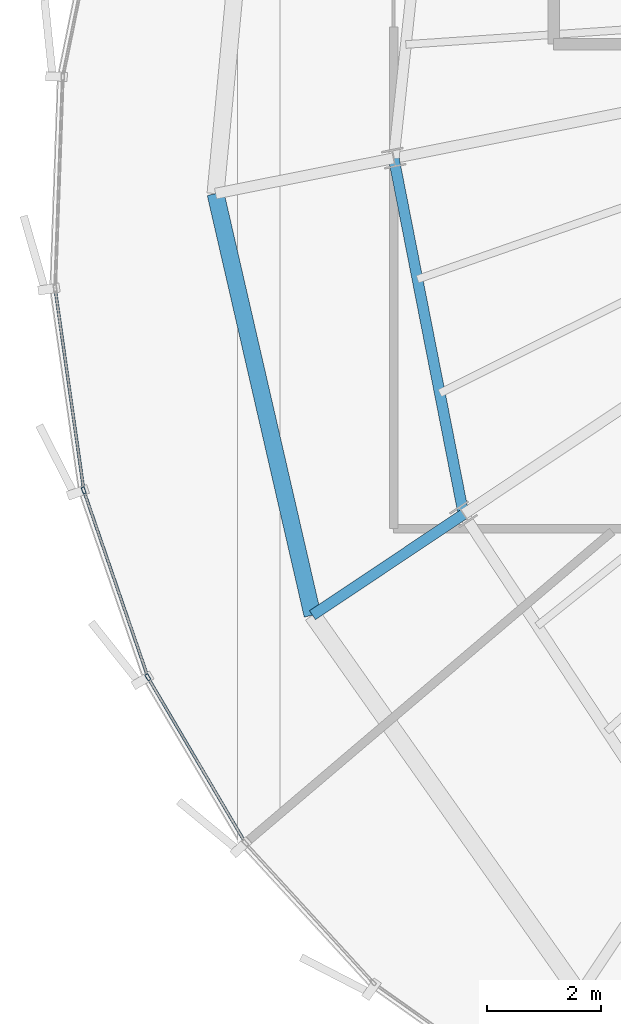
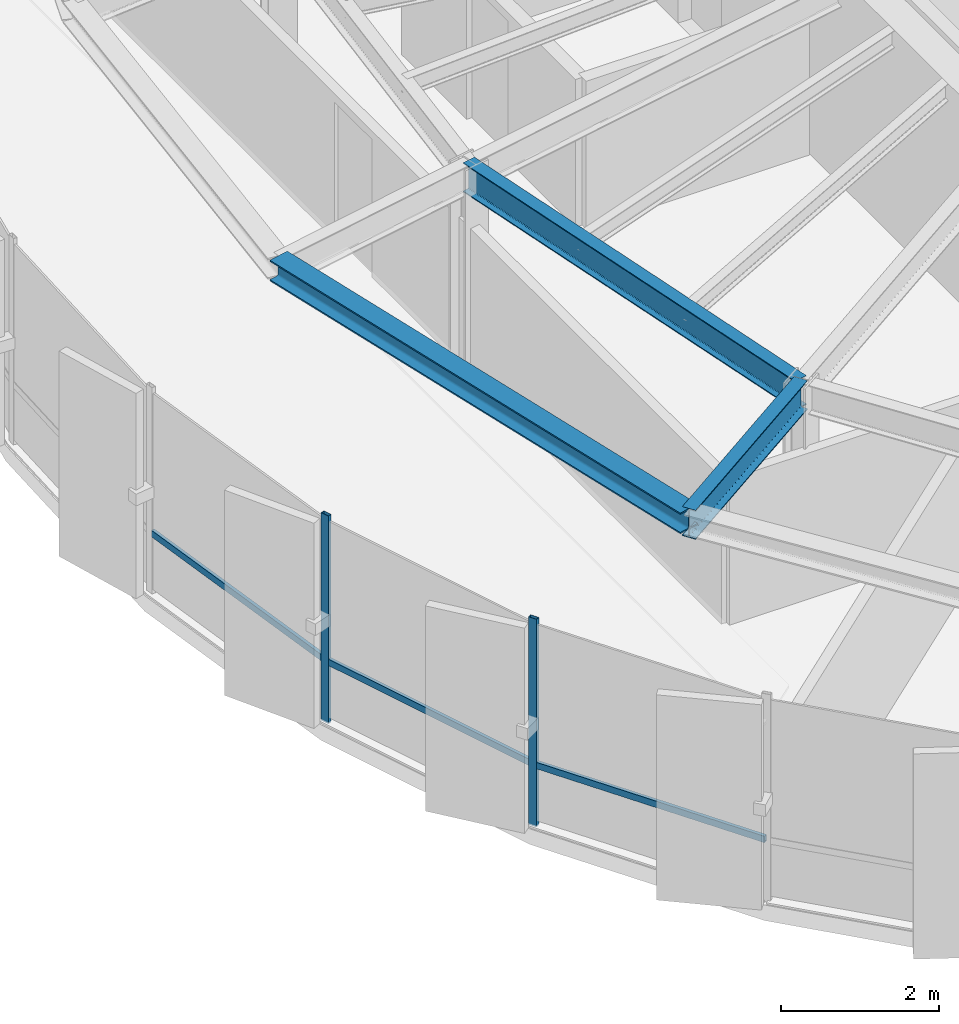
# One storey, part 4 of 34: 5 members, 3 beams, 1 element without a shape of its own.
"""IFC4 building model written with IfcOpenShell, lengths in metres."""

from ifc_helpers import new_model, si_unit, direction, frame, origin, origin_2d, place, context, subcontext, project, spatial, hollow_rectangle, i_section, extrude, source, transform, mapped, material, layer, layer_set, material_profile, profile_set, type_object, element, aggregate, save


model = new_model("IFC4")

# Units and contexts
model_context = context("Model", 3, precision=1e-05, world=origin(), true_north=direction((0.0, 1.0)))
body_context = subcontext(model_context, "Body", "Model", "MODEL_VIEW")
ifc_project = project(units=[si_unit("LENGTHUNIT", "METRE"), si_unit("AREAUNIT", "SQUARE_METRE"), si_unit("VOLUMEUNIT", "CUBIC_METRE"), si_unit("PLANEANGLEUNIT", "RADIAN"), si_unit("MASSUNIT", "GRAM", prefix="KILO"), si_unit("THERMODYNAMICTEMPERATUREUNIT", "KELVIN")], contexts=[model_context])

# Site, building, storey
site_placement = place(None, origin())
site = spatial("IfcSite", under=ifc_project, at=site_placement, CompositionType="ELEMENT")
building_placement = place(site_placement, origin())
building = spatial("IfcBuilding", under=site, at=building_placement, Name="Kethvar Cultural Tower", CompositionType="ELEMENT")
storey_placement = place(building_placement, frame((0.0, 0.0, 231.85009765625)))
storey = spatial("IfcBuildingStorey", under=building, at=storey_placement, Name="L60", CompositionType="ELEMENT", Elevation=231.85009765625)

# Beams
ifc_material_1 = material(Name="Steel S355J2", Category="steel")
ifc_material_profile_1 = material_profile(ifc_material_1, i_section(OverallWidth=0.18994140625, OverallDepth=0.449951171875, WebThickness=0.009521484375, FlangeThickness=0.0146484375, FilletRadius=0.02099609375, at=origin_2d()), Name="Steel S355J2 — IPE450")
ifc_profile_set_1 = profile_set([ifc_material_profile_1], Name="Steel S355J2 — IPE450")
beam_type_1 = type_object("IfcBeamType", Name="BM-IPE450", PredefinedType="BEAM", material=ifc_profile_set_1)
shared_shape_1 = source(origin(), body_context, "Body", "SweptSolid", [
    extrude(i_section(OverallWidth=0.18994140625, OverallDepth=0.449951171875, WebThickness=0.009521484375, FlangeThickness=0.0146484375, FilletRadius=0.02099609375, at=origin_2d()), origin(), (0.0, 0.0, 1.0), 3.199951171875),
])
beam_1_placement = place(storey_placement, frame((32.912841796875, 18.52099609375, 2.98291015625), z_axis=(-0.831462943996, -0.555580212716, 0.0), x_axis=(0.555580212716, -0.831462943996, 0.0)))
element("IfcBeam", 1, at=beam_1_placement, inside=storey, type_object=beam_type_1, Name="L60 Perimeter Cantilever Beam RC-10", PredefinedType="BEAM", context=body_context, shape_type="MappedRepresentation", body=[
    mapped(shared_shape_1, transform((0.0, 0.0, 0.0), scale=1.0)),
])
shared_shape_2 = source(origin(), body_context, "Body", "SweptSolid", [
    extrude(i_section(OverallWidth=0.18994140625, OverallDepth=0.449951171875, WebThickness=0.009521484375, FlangeThickness=0.0146484375, FilletRadius=0.02099609375, at=origin_2d()), origin(), (0.0, 0.0, 1.0), 6.391357421875),
])
beam_2_placement = place(storey_placement, frame((31.68310546875, 24.79296875, 2.98291015625), z_axis=(0.192405084368, -0.981315588131, 0.0), x_axis=(0.981315588131, 0.192405084368, 0.0)))
element("IfcBeam", 2, at=beam_2_placement, inside=storey, type_object=beam_type_1, Name="L60 Column Ring Tie Beam CR-09", PredefinedType="BEAM", context=body_context, shape_type="MappedRepresentation", body=[
    mapped(shared_shape_2, transform((0.0, 0.0, 0.0), scale=1.0)),
])
ifc_material_profile_2 = material_profile(ifc_material_1, i_section(OverallWidth=0.300048828125, OverallDepth=0.320068359375, WebThickness=0.011474609375, FlangeThickness=0.0205078125, FilletRadius=0.027099609375, at=origin_2d()), Name="Steel S355J2 — HEB320")
ifc_profile_set_2 = profile_set([ifc_material_profile_2], Name="Steel S355J2 — HEB320")
beam_type_2 = type_object("IfcBeamType", Name="BM-SP320", PredefinedType="SPANDREL", material=ifc_profile_set_2)
shared_shape_3 = source(origin(), body_context, "Body", "SweptSolid", [
    extrude(i_section(OverallWidth=0.300048828125, OverallDepth=0.320068359375, WebThickness=0.011474609375, FlangeThickness=0.0205078125, FilletRadius=0.027099609375, at=origin_2d()), origin(), (0.0, 0.0, 1.0), 7.619384765625),
])
beam_3_placement = place(storey_placement, frame((28.54443359375, 24.168701171875, 3.0478515625), z_axis=(0.224133998424, -0.974558336248, 0.0), x_axis=(0.974558336248, 0.224133998424, 0.0)))
element("IfcBeam", 3, at=beam_3_placement, inside=storey, type_object=beam_type_2, Name="L60 Perimeter Spandrel Beam SP-09", PredefinedType="SPANDREL", context=body_context, shape_type="MappedRepresentation", body=[
    mapped(shared_shape_3, transform((0.0, 0.0, 0.0), scale=1.0)),
])

# Curtain wall, members
ifc_material_2 = material(Name="Aluminium 6063-T6", Category="aluminium")
ifc_layer = layer(ifc_material_2, 0.179931640625, Name="Aluminium 6063-T6", Category="aluminium")
ifc_layer_set = layer_set([ifc_layer], Name="Aluminium 6063-T6 (180 mm)")
curtain_wall_type = type_object("IfcCurtainWallType", Name="CW-SYS-05-Z56", PredefinedType="NOTDEFINED", material=ifc_layer_set)
curtain_wall_placement = place(storey_placement, origin())
curtain_wall = element("IfcCurtainWall", 4, at=curtain_wall_placement, inside=storey, type_object=curtain_wall_type, Name="L60 Curtain Wall Run 03", PredefinedType="NOTDEFINED")
ifc_material_profile_3 = material_profile(ifc_material_2, hollow_rectangle(XDim=0.054931640625, YDim=0.1201171875, WallThickness=0.00390625, at=origin_2d()), Name="Aluminium 6063-T6 — RHS120x55x4")
ifc_profile_set_3 = profile_set([ifc_material_profile_3], Name="Aluminium 6063-T6 — RHS120x55x4")
member_type_1 = type_object("IfcMemberType", Name="CW-SYS-05-Z56-MUL", PredefinedType="MULLION", material=ifc_profile_set_3)
shared_shape_4 = source(origin(), body_context, "Body", "SweptSolid", [
    extrude(hollow_rectangle(XDim=0.054931640625, YDim=0.1201171875, WallThickness=0.00390625, at=origin_2d()), origin(), (0.0, 0.0, 1.0), 3.2099609375),
])
member_1_placement = place(storey_placement, frame((26.22265625, 18.941650390625, 0.0), z_axis=(0.0, 0.0, 1.0), x_axis=(0.945700259682, 0.325040026515, 0.0)))
member_1 = element("IfcMember", 5, at=member_1_placement, type_object=member_type_1, Name="CW-L60-R03 Mullion 4", PredefinedType="MULLION", context=body_context, shape_type="MappedRepresentation", body=[
    mapped(shared_shape_4, transform((0.0, 0.0, 0.0), scale=1.0)),
])
member_2_placement = place(storey_placement, frame((27.3515625, 15.650634765625, 0.0), z_axis=(0.0, 0.0, 1.0), x_axis=(0.861638018526, 0.507523324618, 0.0)))
member_2 = element("IfcMember", 6, at=member_2_placement, type_object=member_type_1, Name="CW-L60-R03 Mullion 5", PredefinedType="MULLION", context=body_context, shape_type="MappedRepresentation", body=[
    mapped(shared_shape_4, transform((0.0, 0.0, 0.0), scale=1.0)),
])
ifc_material_profile_4 = material_profile(ifc_material_2, hollow_rectangle(XDim=0.050048828125, YDim=0.10009765625, WallThickness=0.00390625, at=origin_2d()), Name="Aluminium 6063-T6 — RHS100x50x4")
ifc_profile_set_4 = profile_set([ifc_material_profile_4], Name="Aluminium 6063-T6 — RHS100x50x4")
member_type_2 = type_object("IfcMemberType", Name="CW-SYS-05-Z56-TRN", PredefinedType="USERDEFINED", material=ifc_profile_set_4)
shared_shape_5 = source(origin(), body_context, "Body", "SweptSolid", [
    extrude(hollow_rectangle(XDim=0.050048828125, YDim=0.10009765625, WallThickness=0.00390625, at=origin_2d()), origin(), (0.0, 0.0, 1.0), 3.536376953125),
])
member_3_placement = place(storey_placement, frame((25.723388671875, 22.463623046875, 0.949951171875), z_axis=(0.140831770706, -0.990033541028, 0.0), x_axis=(0.990033541028, 0.140831770706, 0.0)))
member_3 = element("IfcMember", 7, at=member_3_placement, type_object=member_type_2, Name="CW-L60-R03 Transom 3", ObjectType="TRANSOM", PredefinedType="USERDEFINED", context=body_context, shape_type="MappedRepresentation", body=[
    mapped(shared_shape_5, transform((0.0, 0.0, 0.0), scale=1.0)),
])
shared_shape_6 = source(origin(), body_context, "Body", "SweptSolid", [
    extrude(hollow_rectangle(XDim=0.050048828125, YDim=0.10009765625, WallThickness=0.00390625, at=origin_2d()), origin(), (0.0, 0.0, 1.0), 3.420166015625),
])
member_4_placement = place(storey_placement, frame((26.2353515625, 18.904296875, 0.949951171875), z_axis=(0.325079768511, -0.945686599305, 0.0), x_axis=(0.945686599305, 0.325079768511, 0.0)))
member_4 = element("IfcMember", 8, at=member_4_placement, type_object=member_type_2, Name="CW-L60-R03 Transom 4", ObjectType="TRANSOM", PredefinedType="USERDEFINED", context=body_context, shape_type="MappedRepresentation", body=[
    mapped(shared_shape_6, transform((0.0, 0.0, 0.0), scale=1.0)),
])
shared_shape_7 = source(origin(), body_context, "Body", "SweptSolid", [
    extrude(hollow_rectangle(XDim=0.050048828125, YDim=0.10009765625, WallThickness=0.00390625, at=origin_2d()), origin(), (0.0, 0.0, 1.0), 3.331298828125),
])
member_5_placement = place(storey_placement, frame((27.37158203125, 15.616455078125, 0.949951171875), z_axis=(0.507570883961, -0.861610003282, 0.0), x_axis=(0.861610003282, 0.507570883961, 0.0)))
member_5 = element("IfcMember", 9, at=member_5_placement, type_object=member_type_2, Name="CW-L60-R03 Transom 5", ObjectType="TRANSOM", PredefinedType="USERDEFINED", context=body_context, shape_type="MappedRepresentation", body=[
    mapped(shared_shape_7, transform((0.0, 0.0, 0.0), scale=1.0)),
])
aggregate(curtain_wall, [member_1, member_2, member_3, member_4, member_5])

save(model, "model.ifc")
